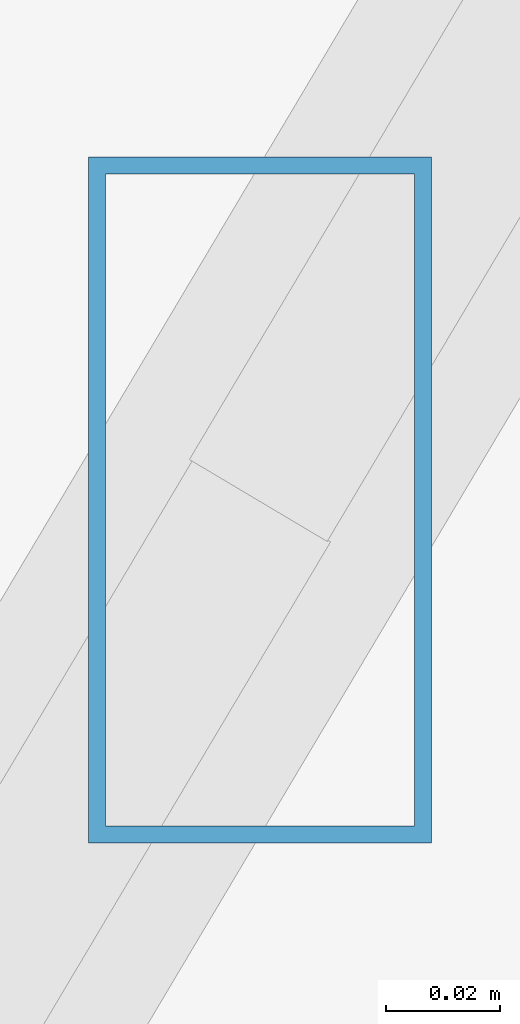
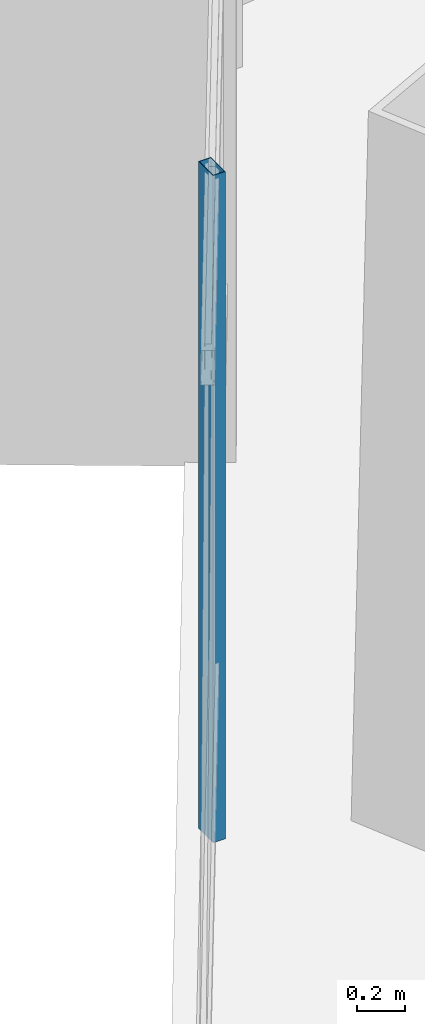
# One storey, part 7 of 47: 1 member, 1 element without a shape of its own.
"""IFC4 building model written with IfcOpenShell, lengths in metres."""

from ifc_helpers import new_model, si_unit, direction, frame, origin, origin_2d, place, context, subcontext, project, spatial, hollow_rectangle, extrude, source, transform, mapped, material, material_profile, profile_set, type_object, type_shapes, element, aggregate, save


model = new_model("IFC4")

# Units and contexts
model_context = context("Model", 3, precision=1e-05, world=origin(), true_north=direction((0.0, 1.0)))
body_context = subcontext(model_context, "Body", "Model", "MODEL_VIEW")
ifc_project = project(units=[si_unit("LENGTHUNIT", "METRE"), si_unit("AREAUNIT", "SQUARE_METRE"), si_unit("VOLUMEUNIT", "CUBIC_METRE"), si_unit("PLANEANGLEUNIT", "RADIAN"), si_unit("MASSUNIT", "GRAM", prefix="KILO")], contexts=[model_context])

# Site, building, storey
site_placement = place(None, origin())
site = spatial("IfcSite", under=ifc_project, at=site_placement, CompositionType="ELEMENT")
building_placement = place(site_placement, origin())
building = spatial("IfcBuilding", under=site, at=building_placement, Name="Caelisora Broadcast Tower", CompositionType="ELEMENT")
storey_placement = place(building_placement, frame((0.0, 0.0, 248.10009765625)))
storey = spatial("IfcBuildingStorey", under=building, at=storey_placement, Name="L65", CompositionType="ELEMENT", Elevation=248.10009765625)

# Curtain wall, member
ifc_material_1 = material(Name="Unitised Aluminium and Low-E Glass Curtain Wall", Category="glass")
curtain_wall_type = type_object("IfcCurtainWallType", Name="CW-Z5", PredefinedType="NOTDEFINED", material=ifc_material_1)
curtain_wall_placement = place(storey_placement, origin())
curtain_wall = element("IfcCurtainWall", 1, at=curtain_wall_placement, inside=storey, type_object=curtain_wall_type, Name="L65 curtain wall CW-Z5", PredefinedType="NOTDEFINED")
ifc_material_2 = material(Name="Aluminium 6063-T6 Anodised Terracotta Bronze", Category="aluminium")
ifc_material_profile = material_profile(ifc_material_2, hollow_rectangle(XDim=0.06005859375, YDim=0.1201171875, WallThickness=0.0029296875, at=origin_2d()), Name="Aluminium 6063-T6 Anodised Terracotta Bronze")
ifc_profile_set = profile_set([ifc_material_profile], Name="Aluminium 6063-T6 Anodised Terracotta Bronze")
member_type = type_object("IfcMemberType", Name="CWM-04", PredefinedType="MULLION", material=ifc_profile_set)
shared_shape = source(origin(), body_context, "Body", "SweptSolid", [
    extrude(hollow_rectangle(XDim=0.06005859375, YDim=0.1201171875, WallThickness=0.0029296875, at=origin_2d()), origin(), (0.0, 0.0, 1.0), 3.39990234375),
])
type_shapes(member_type, [shared_shape])
member_placement = place(storey_placement, frame((15.375244140625, 16.5419921875, 0.0), z_axis=(0.0, 0.0, 1.0), x_axis=(1.0, 0.0, 0.0)))
member = element("IfcMember", 2, at=member_placement, type_object=member_type, Name="L65-CW-B09 mullion #1", PredefinedType="MULLION", context=body_context, shape_type="MappedRepresentation", body=[
    mapped(shared_shape, transform((0.0, 0.0, 0.0), scale=1.0)),
])
aggregate(curtain_wall, [member])

save(model, "model.ifc")
